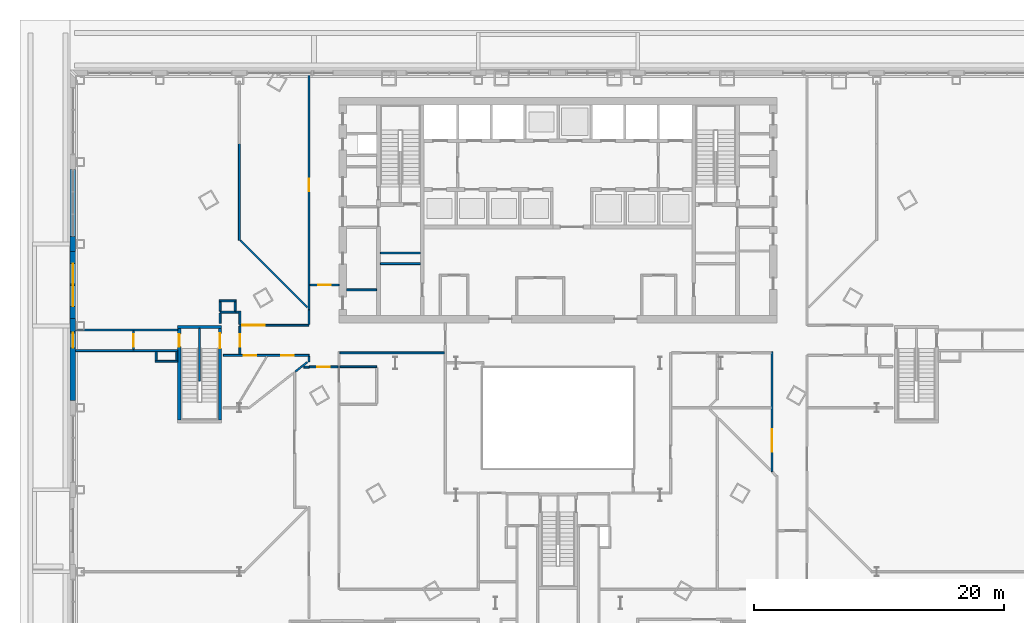
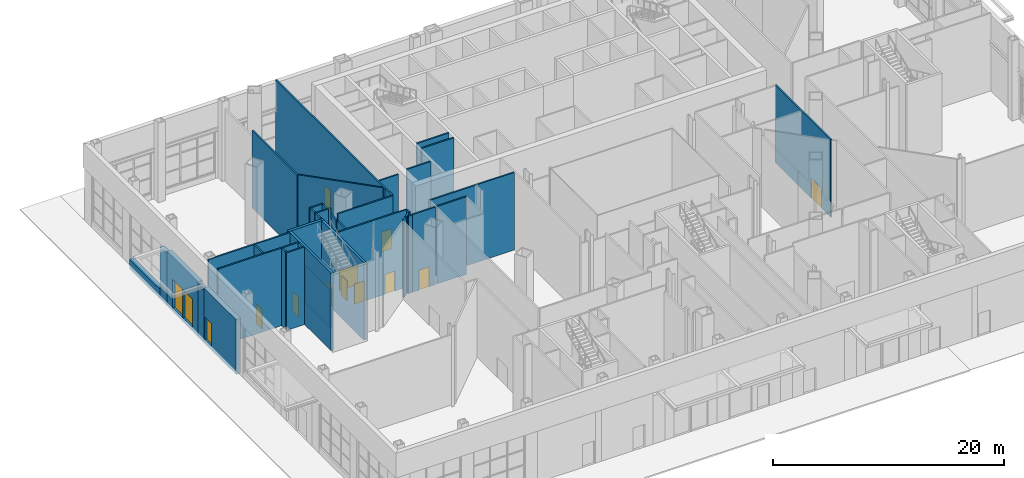
# One storey, part 19 of 34: 41 walls, 14 doors, 14 openings.
"""IFC4 building model written with IfcOpenShell, lengths in metres."""

import ifcopenshell
import ifcopenshell.guid

model = None  # the IFC model being written
_history = None  # IfcOwnerHistory: only IFC2X3 demands one
_inside = {}  # id of a spatial element -> (the spatial element, [elements in it])
_under = {}  # id of a project, library or spatial element -> (it, [spatial elements below it])
_declared = {}  # id of a project -> (the project, [libraries it declares])
_typed = {}  # id of a type object -> (the type object, [elements of that type])
_made_of = {}  # id of a material, layer set ... -> (it, [elements and type objects made of it])


def new_model(schema):
    """Start an empty IFC model of exactly this schema.

    Asked for "IFC4X3", IfcOpenShell would pick the latest addendum, in which some entities
    have other attributes; the version numbers below select the first issue.
    IFC2X3 requires an IfcOwnerHistory on every rooted entity: one is made here for all.
    """
    global model, _history
    if schema == "IFC4X3":
        model = ifcopenshell.file(schema_version=(4, 3, 0, 0))
    else:
        model = ifcopenshell.file(schema=schema)
    _inside.clear()
    _under.clear()
    _declared.clear()
    _typed.clear()
    _made_of.clear()
    _history = None
    if model.schema == "IFC2X3":
        org = make("IfcOrganization", Name="unknown")
        user = make(
            "IfcPersonAndOrganization",
            ThePerson=make("IfcPerson", FamilyName="unknown"),
            TheOrganization=org,
        )
        app = make(
            "IfcApplication",
            ApplicationDeveloper=org,
            Version="unknown",
            ApplicationFullName="unknown",
            ApplicationIdentifier="unknown",
        )
        _history = make(
            "IfcOwnerHistory",
            OwningUser=user,
            OwningApplication=app,
            ChangeAction="ADDED",
            CreationDate=0,
        )
    return model


def make(cls, **values):
    """One entity of the class cls with the attributes given. An attribute that is None is left unset."""
    return model.create_entity(
        cls, **{name: value for name, value in values.items() if value is not None}
    )


def rooted(cls, **values):
    """An entity with a GlobalId (a new one), such as an element, a storey or a relation."""
    return make(cls, GlobalId=ifcopenshell.guid.new(), OwnerHistory=_history, **values)


def si_unit(unit_type, name, prefix=None):
    """IfcSIUnit, for example si_unit("LENGTHUNIT", "METRE", prefix="MILLI")."""
    return make("IfcSIUnit", UnitType=unit_type, Prefix=prefix, Name=name)


def assignment(units):
    """IfcUnitAssignment: the units of a project."""
    return None if units is None else make("IfcUnitAssignment", Units=units)


def point(xyz):
    """IfcCartesianPoint."""
    return None if xyz is None else make("IfcCartesianPoint", Coordinates=xyz)


def direction(xyz):
    """IfcDirection."""
    return None if xyz is None else make("IfcDirection", DirectionRatios=xyz)


def frame(location, z_axis=None, x_axis=None):
    """IfcAxis2Placement3D, a coordinate frame: its origin and axes. An axis left out is left unset."""
    return make(
        "IfcAxis2Placement3D",
        Location=point(location),
        Axis=direction(z_axis),
        RefDirection=direction(x_axis),
    )


def frame_2d(location, x_axis=None):
    """IfcAxis2Placement2D, a coordinate frame in the plane: its origin and x axis."""
    return make(
        "IfcAxis2Placement2D", Location=point(location), RefDirection=direction(x_axis)
    )


def origin():
    """The frame at (0, 0, 0) with its axes left unset."""
    return frame((0.0, 0.0, 0.0))


def place(relative_to, where):
    """IfcLocalPlacement: puts the frame where relative to a parent placement (None: the world)."""
    return make(
        "IfcLocalPlacement", PlacementRelTo=relative_to, RelativePlacement=where
    )


def context(
    kind, dimensions, precision=None, world=None, true_north=None, identifier=None
):
    """IfcGeometricRepresentationContext, for example the 3D "Model" context."""
    return make(
        "IfcGeometricRepresentationContext",
        ContextIdentifier=identifier,
        ContextType=kind,
        CoordinateSpaceDimension=dimensions,
        Precision=precision,
        WorldCoordinateSystem=world,
        TrueNorth=true_north,
    )


def subcontext(parent, identifier, kind, view, scale=None):
    """IfcGeometricRepresentationSubContext, for example "Body" below "Model"."""
    return make(
        "IfcGeometricRepresentationSubContext",
        ContextIdentifier=identifier,
        ContextType=kind,
        ParentContext=parent,
        TargetScale=scale,
        TargetView=view,
    )


def project(units=None, contexts=None):
    """IfcProject with its units and contexts."""
    return rooted(
        "IfcProject",
        Name="project",
        RepresentationContexts=contexts,
        UnitsInContext=assignment(units),
    )


def spatial(cls, under=None, at=None, **own):
    """A site, building, storey or space (cls), placed at a placement, below another one or the project."""
    s = rooted(cls, ObjectPlacement=at, **own)
    if under is not None:
        _under.setdefault(under.id(), (under, []))[1].append(s)
    return s


def polyline(points):
    """IfcPolyline through the points."""
    return make("IfcPolyline", Points=[point(p) for p in points])


def profile(cls, at=None, kind="AREA", **sizes):
    """A parametric profile (cls). Its sizes go by their IFC names, for example OverallWidth=200.0."""
    return make(cls, ProfileType=kind, Position=at, **sizes)


def rectangle(**sizes):
    """IfcRectangleProfileDef."""
    return profile("IfcRectangleProfileDef", **sizes)


def outline(outer, holes=None, kind="AREA"):
    """IfcArbitraryClosedProfileDef: a profile drawn as a closed curve; with holes, ...WithVoids."""
    if holes is None:
        return make("IfcArbitraryClosedProfileDef", ProfileType=kind, OuterCurve=outer)
    return make(
        "IfcArbitraryProfileDefWithVoids",
        ProfileType=kind,
        OuterCurve=outer,
        InnerCurves=holes,
    )


def extrude(swept, where, along, depth):
    """IfcExtrudedAreaSolid: the profile swept, set in the frame where, extruded along a direction by depth."""
    return make(
        "IfcExtrudedAreaSolid",
        SweptArea=swept,
        Position=where,
        ExtrudedDirection=direction(along),
        Depth=depth,
    )


def shape(context_of_items, identifier, shape_type, items):
    """IfcShapeRepresentation: the items that make up one representation, for example the "Body"."""
    return make(
        "IfcShapeRepresentation",
        ContextOfItems=context_of_items,
        RepresentationIdentifier=identifier,
        RepresentationType=shape_type,
        Items=items,
    )


def material(Name=None, Category=None):
    """IfcMaterial."""
    return make("IfcMaterial", Name=Name, Category=Category)


def layer(
    of_material, thickness, ventilated=None, Name=None, Category=None, Priority=None
):
    """IfcMaterialLayer: one layer of a wall or slab, of a material (None: an air gap)."""
    return make(
        "IfcMaterialLayer",
        Material=of_material,
        LayerThickness=thickness,
        IsVentilated=ventilated,
        Name=Name,
        Category=Category,
        Priority=Priority,
    )


def layer_set(layers, Name=None):
    """IfcMaterialLayerSet."""
    return make("IfcMaterialLayerSet", MaterialLayers=layers, LayerSetName=Name)


def made_of(thing, what):
    """Note that an element or type object is made of a material, layer set ...; save() writes the relation."""
    if what is not None:
        _made_of.setdefault(what.id(), (what, []))[1].append(thing)
    return thing


def type_object(cls, material=None, **own):
    """A type object (cls), such as IfcWallType, which elements share."""
    return made_of(rooted(cls, **own), material)


def element(
    cls,
    number,
    at=None,
    inside=None,
    cuts=None,
    type_object=None,
    material=None,
    context=None,
    identifier="Body",
    shape_type=None,
    held_by="IfcProductDefinitionShape",
    body=None,
    shapes=None,
    **own,
):
    """One element of the class cls, such as IfcWall. Its Tag is "e" and its number.

    at: its placement. inside: the storey or other place that contains it. cuts: it is an
    opening in that element (IfcRelVoidsElement). A single representation is given by context,
    identifier, shape_type and body (its items); several are given by shapes. held_by: the class
    of the entity that holds the representations. save() writes the other relations.
    """
    e = rooted(cls, Tag="e%d" % number, ObjectPlacement=at, **own)
    if body is not None:
        shapes = [shape(context, identifier, shape_type, body)]
    if shapes is not None:
        e.Representation = make(held_by, Representations=shapes)
    if inside is not None:
        _inside.setdefault(inside.id(), (inside, []))[1].append(e)
    if cuts is not None:
        rooted(
            "IfcRelVoidsElement", RelatingBuildingElement=cuts, RelatedOpeningElement=e
        )
    if type_object is not None:
        _typed.setdefault(type_object.id(), (type_object, []))[1].append(e)
    return made_of(e, material)


def fill(opening, filler):
    """IfcRelFillsElement: the door or window that sits in an opening."""
    return rooted(
        "IfcRelFillsElement",
        RelatingOpeningElement=opening,
        RelatedBuildingElement=filler,
    )


def aggregate(whole, parts):
    """IfcRelAggregates: a whole, such as a stair, and the parts it consists of."""
    return rooted("IfcRelAggregates", RelatingObject=whole, RelatedObjects=parts)


def save(model, path):
    """Write the relations noted so far, then the file.

    IfcRelAggregates (storeys below a building ...), IfcRelContainedInSpatialStructure (elements
    in a storey), IfcRelDefinesByType, IfcRelAssociatesMaterial and IfcRelDeclares: one each for
    every whole, place, type object, material and project.
    """
    for whole, parts in _under.values():
        aggregate(whole, parts)
    for where, things in _inside.values():
        rooted(
            "IfcRelContainedInSpatialStructure",
            RelatedElements=things,
            RelatingStructure=where,
        )
    for kind, things in _typed.values():
        rooted("IfcRelDefinesByType", RelatedObjects=things, RelatingType=kind)
    for what, things in _made_of.values():
        rooted("IfcRelAssociatesMaterial", RelatedObjects=things, RelatingMaterial=what)
    for by, libraries in _declared.values():
        rooted("IfcRelDeclares", RelatingContext=by, RelatedDefinitions=libraries)
    model.write(path)


model = new_model("IFC4")

# Units and contexts
model_context = context("Model", 3, precision=1e-05, world=origin(), true_north=direction((0.0, 1.0)))
body_context = subcontext(model_context, "Body", "Model", "MODEL_VIEW")
ifc_project = project(units=[si_unit("LENGTHUNIT", "METRE"), si_unit("AREAUNIT", "SQUARE_METRE"), si_unit("VOLUMEUNIT", "CUBIC_METRE"), si_unit("PLANEANGLEUNIT", "RADIAN"), si_unit("MASSUNIT", "GRAM", prefix="KILO")], contexts=[model_context])

# Site, building, storey
site_placement = place(None, origin())
site = spatial("IfcSite", under=ifc_project, at=site_placement, CompositionType="ELEMENT")
building_placement = place(site_placement, origin())
building = spatial("IfcBuilding", under=site, at=building_placement, Name="Njiva Tower", CompositionType="ELEMENT")
storey_placement = place(building_placement, origin())
storey = spatial("IfcBuildingStorey", under=building, at=storey_placement, Name="L00", CompositionType="ELEMENT", Elevation=0.0)

# Walls
ifc_material_1 = material(Name="Blockwork", Category="masonry")
ifc_layer_1 = layer(ifc_material_1, 0.15)
ifc_layer_set_1 = layer_set([ifc_layer_1], Name="Blockwork")
wall_type_1 = type_object("IfcWallType", Name="WT1 Compartment partition 150", PredefinedType="PARTITIONING", material=ifc_layer_set_1)
wall_1_placement = place(storey_placement, frame((-14.2, 4.725, 0.0), z_axis=(0.0, 0.0, 1.0), x_axis=(1.0, 0.0, 0.0)))
element("IfcWall", 1, at=wall_1_placement, inside=storey, type_object=wall_type_1, Name="Room wall A", PredefinedType="PARTITIONING", context=body_context, shape_type="SweptSolid", body=[
    extrude(rectangle(XDim=3.2, YDim=0.15, at=frame_2d((1.6, 0.0))), origin(), (0.0, 0.0, 1.0), 8.18),
])
wall_2_placement = place(storey_placement, frame((-16.9, 2.6337, 0.0), z_axis=(0.0, 0.0, 1.0), x_axis=(1.0, 0.0, 0.0)))
element("IfcWall", 2, at=wall_2_placement, inside=storey, type_object=wall_type_1, Name="Partition strip W00", PredefinedType="PARTITIONING", context=body_context, shape_type="SweptSolid", body=[
    extrude(rectangle(XDim=2.4, YDim=0.15, at=frame_2d((1.2, 0.0))), origin(), (0.0, 0.0, 1.0), 8.18),
])

# Wall, opening, door
ifc_layer_2 = layer(ifc_material_1, 0.15)
ifc_layer_set_2 = layer_set([ifc_layer_2], Name="Blockwork")
wall_type_2 = type_object("IfcWallType", Name="WT2 Lobby partition 150", PredefinedType="PARTITIONING", material=ifc_layer_set_2)
wall_3_placement = place(storey_placement, frame((-33.925, -2.15, 0.0), z_axis=(0.0, 0.0, 1.0), x_axis=(0.0, 1.0, 0.0)))
wall_3 = element("IfcWall", 3, at=wall_3_placement, inside=storey, type_object=wall_type_2, Name="Stair F upper vestibule wall", PredefinedType="PARTITIONING", context=body_context, shape_type="SweptSolid", body=[
    extrude(rectangle(XDim=1.5, YDim=0.15, at=frame_2d((0.75, 0.0))), origin(), (0.0, 0.0, 1.0), 8.18),
])
opening_1_placement = place(wall_3_placement, frame((0.25, 0.0, 0.0)))
opening_1 = element("IfcOpeningElement", 4, at=opening_1_placement, cuts=wall_3, Name="Opening L00-D958", PredefinedType="OPENING", context=body_context, shape_type="SweptSolid", body=[
    extrude(rectangle(XDim=1.0, YDim=2.1, at=frame_2d((0.5, 1.05))), frame((0.0, 0.085, 0.0), z_axis=(0.0, -1.0, 0.0), x_axis=(1.0, 0.0, 0.0)), (0.0, 0.0, 1.0), 0.17),
])
ifc_material_2 = material(Name="Glazed steel fire door", Category="steel")
door_type_1 = type_object("IfcDoorType", Name="D11 Stair passage door 1000x2100 glazed", OperationType="SINGLE_SWING_LEFT", PredefinedType="DOOR", material=ifc_material_2)
door_1_placement = place(opening_1_placement, origin())
door_1 = element("IfcDoor", 5, at=door_1_placement, inside=storey, type_object=door_type_1, Name="Stair F passage door", OperationType="SINGLE_SWING_RIGHT", OverallHeight=2.1, OverallWidth=1.0, PredefinedType="DOOR", context=body_context, shape_type="SweptSolid", body=[
    extrude(rectangle(XDim=1.0, YDim=2.1, at=frame_2d((0.5, 1.05))), frame((0.0, 0.025, 0.0), z_axis=(0.0, -1.0, 0.0), x_axis=(1.0, 0.0, 0.0)), (0.0, 0.0, 1.0), 0.05),
])
fill(opening_1, door_1)

# Wall
ifc_material_3 = material(Name="Gypsum board on steel studs", Category="gypsum")
ifc_layer_3 = layer(ifc_material_3, 0.15)
ifc_layer_set_3 = layer_set([ifc_layer_3], Name="Gypsum board on steel studs")
wall_type_3 = type_object("IfcWallType", Name="WT21 Compartment wall 150", PredefinedType="PARTITIONING", material=ifc_layer_set_3)
wall_4_placement = place(storey_placement, frame((-27.005, -0.05, 0.0), z_axis=(0.0, 0.0, 1.0), x_axis=(0.0, 1.0, 0.0)))
element("IfcWall", 6, at=wall_4_placement, inside=storey, type_object=wall_type_3, Name="Partition L00-P003", PredefinedType="PARTITIONING", context=body_context, shape_type="SweptSolid", body=[
    extrude(rectangle(XDim=0.825, YDim=0.15, at=frame_2d((0.4125, 0.0))), origin(), (0.0, 0.0, 1.0), 8.18),
])

# Wall, openings, doors
wall_5_placement = place(storey_placement, frame((-26.75, -2.6, 0.0), z_axis=(0.0, 0.0, 1.0), x_axis=(1.0, 0.0, 0.0)))
wall_5 = element("IfcWall", 7, at=wall_5_placement, inside=storey, type_object=wall_type_3, Name="Partition L00-P007", PredefinedType="PARTITIONING", context=body_context, shape_type="SweptSolid", body=[
    extrude(rectangle(XDim=6.85, YDim=0.15, at=frame_2d((3.425, 0.0))), origin(), (0.0, 0.0, 1.0), 8.18),
])
opening_2_placement = place(wall_5_placement, frame((1.616, 0.0, 0.0)))
opening_2 = element("IfcOpeningElement", 8, at=opening_2_placement, cuts=wall_5, Name="Opening L00-D001", PredefinedType="OPENING", context=body_context, shape_type="SweptSolid", body=[
    extrude(rectangle(XDim=1.0, YDim=2.1, at=frame_2d((0.5, 1.05))), frame((0.0, 0.085, 0.0), z_axis=(0.0, -1.0, 0.0), x_axis=(1.0, 0.0, 0.0)), (0.0, 0.0, 1.0), 0.17),
])
opening_3_placement = place(wall_5_placement, frame((4.645, 0.0, 0.0)))
opening_3 = element("IfcOpeningElement", 9, at=opening_3_placement, cuts=wall_5, Name="Opening L00-D002", PredefinedType="OPENING", context=body_context, shape_type="SweptSolid", body=[
    extrude(rectangle(XDim=1.0, YDim=2.1, at=frame_2d((0.5, 1.05))), frame((0.0, 0.085, 0.0), z_axis=(0.0, -1.0, 0.0), x_axis=(1.0, 0.0, 0.0)), (0.0, 0.0, 1.0), 0.17),
])
ifc_material_4 = material(Name="Steel fire door set", Category="steel")
door_type_2 = type_object("IfcDoorType", Name="D37 Fire door 1000x2100", OperationType="SINGLE_SWING_LEFT", PredefinedType="DOOR", material=ifc_material_4)
door_2_placement = place(opening_2_placement, origin())
door_2 = element("IfcDoor", 10, at=door_2_placement, inside=storey, type_object=door_type_2, Name="Door L00-D001", OperationType="SINGLE_SWING_LEFT", OverallHeight=2.1, OverallWidth=1.0, PredefinedType="DOOR", context=body_context, shape_type="SweptSolid", body=[
    extrude(rectangle(XDim=1.0, YDim=2.1, at=frame_2d((0.5, 1.05))), frame((0.0, 0.025, 0.0), z_axis=(0.0, -1.0, 0.0), x_axis=(1.0, 0.0, 0.0)), (0.0, 0.0, 1.0), 0.05),
])
fill(opening_2, door_2)
door_3_placement = place(opening_3_placement, origin())
door_3 = element("IfcDoor", 11, at=door_3_placement, inside=storey, type_object=door_type_2, Name="Door L00-D002", OperationType="SINGLE_SWING_RIGHT", OverallHeight=2.1, OverallWidth=1.0, PredefinedType="DOOR", context=body_context, shape_type="SweptSolid", body=[
    extrude(rectangle(XDim=1.0, YDim=2.1, at=frame_2d((0.5, 1.05))), frame((0.0, 0.025, 0.0), z_axis=(0.0, -1.0, 0.0), x_axis=(1.0, 0.0, 0.0)), (0.0, 0.0, 1.0), 0.05),
])
fill(opening_3, door_3)

# Walls
wall_6_placement = place(storey_placement, frame((-25.73, 0.85, 0.0), z_axis=(0.0, 0.0, 1.0), x_axis=(1.0, 0.0, 0.0)))
element("IfcWall", 12, at=wall_6_placement, inside=storey, type_object=wall_type_3, Name="Partition L00-P009", PredefinedType="PARTITIONING", context=body_context, shape_type="SweptSolid", body=[
    extrude(rectangle(XDim=0.23, YDim=0.15, at=frame_2d((0.115, 0.0))), origin(), (0.0, 0.0, 1.0), 8.18),
])
wall_7_placement = place(storey_placement, frame((-25.467, 6.592, 0.0), z_axis=(0.0, 0.0, 1.0), x_axis=(0.0, 1.0, 0.0)))
element("IfcWall", 13, at=wall_7_placement, inside=storey, type_object=wall_type_3, Name="Partition L00-P011", PredefinedType="PARTITIONING", context=body_context, shape_type="SweptSolid", body=[
    extrude(rectangle(XDim=7.736, YDim=0.15, at=frame_2d((3.868, 0.0))), origin(), (0.0, 0.0, 1.0), 8.18),
])

# Wall, opening, door
wall_8_placement = place(storey_placement, frame((-25.425, -2.525, 0.0), z_axis=(0.0, 0.0, 1.0), x_axis=(0.0, 1.0, 0.0)))
wall_8 = element("IfcWall", 14, at=wall_8_placement, inside=storey, type_object=wall_type_3, Name="Partition L00-P012", PredefinedType="PARTITIONING", context=body_context, shape_type="SweptSolid", body=[
    extrude(rectangle(XDim=2.25, YDim=0.15, at=frame_2d((1.125, 0.0))), origin(), (0.0, 0.0, 1.0), 7.49),
])
opening_4_placement = place(wall_8_placement, frame((0.625, 0.0, 0.0)))
opening_4 = element("IfcOpeningElement", 15, at=opening_4_placement, cuts=wall_8, Name="Opening L00-D003", PredefinedType="OPENING", context=body_context, shape_type="SweptSolid", body=[
    extrude(rectangle(XDim=1.0, YDim=2.1, at=frame_2d((0.5, 1.05))), frame((0.0, 0.085, 0.0), z_axis=(0.0, -1.0, 0.0), x_axis=(1.0, 0.0, 0.0)), (0.0, 0.0, 1.0), 0.17),
])
door_type_3 = type_object("IfcDoorType", Name="D41 Glazed fire door 1000x2100", OperationType="SINGLE_SWING_LEFT", PredefinedType="DOOR", material=ifc_material_2)
door_4_placement = place(opening_4_placement, origin())
door_4 = element("IfcDoor", 16, at=door_4_placement, inside=storey, type_object=door_type_3, Name="Door L00-D003", OperationType="SINGLE_SWING_RIGHT", OverallHeight=2.1, OverallWidth=1.0, PredefinedType="DOOR", context=body_context, shape_type="SweptSolid", body=[
    extrude(rectangle(XDim=1.0, YDim=2.1, at=frame_2d((0.5, 1.05))), frame((0.0, 0.025, 0.0), z_axis=(0.0, -1.0, 0.0), x_axis=(1.0, 0.0, 0.0)), (0.0, 0.0, 1.0), 0.05),
])
fill(opening_4, door_4)

wall_9_placement = place(storey_placement, frame((-25.425, -0.2, 0.0), z_axis=(0.0, 0.0, 1.0), x_axis=(1.0, 0.0, 0.0)))
wall_9 = element("IfcWall", 17, at=wall_9_placement, inside=storey, type_object=wall_type_3, Name="Partition L00-P013", PredefinedType="PARTITIONING", context=body_context, shape_type="SweptSolid", body=[
    extrude(rectangle(XDim=5.522, YDim=0.15, at=frame_2d((2.761, 0.0))), origin(), (0.0, 0.0, 1.0), 8.18),
])
opening_5_placement = place(wall_9_placement, frame((0.2, 0.0, 0.0)))
opening_5 = element("IfcOpeningElement", 18, at=opening_5_placement, cuts=wall_9, Name="Opening L00-D004", PredefinedType="OPENING", context=body_context, shape_type="SweptSolid", body=[
    extrude(rectangle(XDim=1.8, YDim=2.1, at=frame_2d((0.9, 1.05))), frame((0.0, 0.085, 0.0), z_axis=(0.0, -1.0, 0.0), x_axis=(1.0, 0.0, 0.0)), (0.0, 0.0, 1.0), 0.17),
])
door_type_4 = type_object("IfcDoorType", Name="D38 Fire door 1800x2100", OperationType="DOUBLE_DOOR_SINGLE_SWING", PredefinedType="DOOR", material=ifc_material_4)
door_5_placement = place(opening_5_placement, origin())
door_5 = element("IfcDoor", 19, at=door_5_placement, inside=storey, type_object=door_type_4, Name="Door L00-D004", OperationType="DOUBLE_DOOR_SINGLE_SWING", OverallHeight=2.1, OverallWidth=1.8, PredefinedType="DOOR", context=body_context, shape_type="SweptSolid", body=[
    extrude(rectangle(XDim=1.8, YDim=2.1, at=frame_2d((0.9, 1.05))), frame((0.0, 0.025, 0.0), z_axis=(0.0, -1.0, 0.0), x_axis=(1.0, 0.0, 0.0)), (0.0, 0.0, 1.0), 0.05),
])
fill(opening_5, door_5)

# Walls
wall_10_placement = place(storey_placement, frame((-25.425, -0.125, 0.0), z_axis=(0.0, 0.0, 1.0), x_axis=(0.0, 1.0, 0.0)))
element("IfcWall", 20, at=wall_10_placement, inside=storey, type_object=wall_type_3, Name="Partition L00-P014", PredefinedType="PARTITIONING", context=body_context, shape_type="SweptSolid", body=[
    extrude(rectangle(XDim=1.05, YDim=0.15, at=frame_2d((0.525, 0.0))), origin(), (0.0, 0.0, 1.0), 7.49),
])
wall_11_placement = place(storey_placement, frame((-25.392, 6.592, 0.0), z_axis=(0.0, 0.0, 1.0), x_axis=(0.707106781187, -0.707106781187, 0.0)))
element("IfcWall", 21, at=wall_11_placement, inside=storey, type_object=wall_type_3, Name="Partition L00-P015", PredefinedType="PARTITIONING", context=body_context, shape_type="SweptSolid", body=[
    extrude(rectangle(XDim=7.5858, YDim=0.15, at=frame_2d((3.7929, 0.0))), origin(), (0.0, 0.0, 1.0), 8.18),
])
wall_12_placement = place(storey_placement, frame((-21.004, -3.906, 0.0), z_axis=(0.0, 0.0, 1.0), x_axis=(0.786713818429, 0.61731788237, 0.0)))
element("IfcWall", 22, at=wall_12_placement, inside=storey, type_object=wall_type_3, Name="Partition L00-P019", PredefinedType="PARTITIONING", context=body_context, shape_type="SweptSolid", body=[
    extrude(rectangle(XDim=0.6139, YDim=0.15, at=frame_2d((0.307, 0.0))), origin(), (0.0, 0.0, 1.0), 8.18),
])
wall_13_placement = place(storey_placement, frame((-20.521, -3.527, 0.0), z_axis=(0.0, 0.0, 1.0), x_axis=(0.786595086438, 0.617469165216, 0.0)))
element("IfcWall", 23, at=wall_13_placement, inside=storey, type_object=wall_type_3, Name="Partition L00-P021", PredefinedType="PARTITIONING", context=body_context, shape_type="SweptSolid", body=[
    extrude(rectangle(XDim=0.6268, YDim=0.15, at=frame_2d((0.3134, 0.0))), origin(), (0.0, 0.0, 1.0), 8.18),
])
wall_14_placement = place(storey_placement, frame((-20.32, -3.539, 0.0), z_axis=(0.0, 0.0, 1.0), x_axis=(1.0, 0.0, 0.0)))
element("IfcWall", 24, at=wall_14_placement, inside=storey, type_object=wall_type_3, Name="Partition L00-P022", PredefinedType="PARTITIONING", context=body_context, shape_type="SweptSolid", body=[
    extrude(rectangle(XDim=0.42, YDim=0.15, at=frame_2d((0.21, 0.0))), origin(), (0.0, 0.0, 1.0), 8.18),
])

# Wall, opening, door
wall_15_placement = place(storey_placement, frame((-19.9, -3.525, 0.0), z_axis=(0.0, 0.0, 1.0), x_axis=(1.0, 0.0, 0.0)))
wall_15 = element("IfcWall", 25, at=wall_15_placement, inside=storey, type_object=wall_type_3, Name="Partition L00-P024", PredefinedType="PARTITIONING", context=body_context, shape_type="SweptSolid", body=[
    extrude(rectangle(XDim=2.325, YDim=0.15, at=frame_2d((1.1625, 0.0))), origin(), (0.0, 0.0, 1.0), 8.18),
])
opening_6_placement = place(wall_15_placement, frame((0.662, 0.0, 0.0)))
opening_6 = element("IfcOpeningElement", 26, at=opening_6_placement, cuts=wall_15, Name="Opening L00-D007", PredefinedType="OPENING", context=body_context, shape_type="SweptSolid", body=[
    extrude(rectangle(XDim=1.0, YDim=2.1, at=frame_2d((0.5, 1.05))), frame((0.0, 0.085, 0.0), z_axis=(0.0, -1.0, 0.0), x_axis=(1.0, 0.0, 0.0)), (0.0, 0.0, 1.0), 0.17),
])
door_6_placement = place(opening_6_placement, origin())
door_6 = element("IfcDoor", 27, at=door_6_placement, inside=storey, type_object=door_type_2, Name="Door L00-D007", OperationType="SINGLE_SWING_RIGHT", OverallHeight=2.1, OverallWidth=1.0, PredefinedType="DOOR", context=body_context, shape_type="SweptSolid", body=[
    extrude(rectangle(XDim=1.0, YDim=2.1, at=frame_2d((0.5, 1.05))), frame((0.0, 0.025, 0.0), z_axis=(0.0, -1.0, 0.0), x_axis=(1.0, 0.0, 0.0)), (0.0, 0.0, 1.0), 0.05),
])
fill(opening_6, door_6)

# Walls
wall_16_placement = place(storey_placement, frame((-19.9, -3.114, 0.0), z_axis=(0.0, 0.0, 1.0), x_axis=(0.0, 1.0, 0.0)))
element("IfcWall", 28, at=wall_16_placement, inside=storey, type_object=wall_type_3, Name="Partition L00-P025", PredefinedType="PARTITIONING", context=body_context, shape_type="SweptSolid", body=[
    extrude(rectangle(XDim=0.439, YDim=0.15, at=frame_2d((0.2195, 0.0))), origin(), (0.0, 0.0, 1.0), 8.18),
])
wall_17_placement = place(storey_placement, frame((-19.9, -0.125, 0.0), z_axis=(0.0, 0.0, 1.0), x_axis=(0.0, 1.0, 0.0)))
element("IfcWall", 29, at=wall_17_placement, inside=storey, type_object=wall_type_3, Name="Partition L00-P026", PredefinedType="PARTITIONING", context=body_context, shape_type="SweptSolid", body=[
    extrude(rectangle(XDim=1.15, YDim=0.15, at=frame_2d((0.575, 0.0))), origin(), (0.0, 0.0, 1.0), 8.18),
])

# Wall, opening, door
wall_18_placement = place(storey_placement, frame((-19.9, 1.025, 0.0), z_axis=(0.0, 0.0, 1.0), x_axis=(0.0, 1.0, 0.0)))
wall_18 = element("IfcWall", 30, at=wall_18_placement, inside=storey, type_object=wall_type_3, Name="Partition L00-P027", PredefinedType="PARTITIONING", context=body_context, shape_type="SweptSolid", body=[
    extrude(rectangle(XDim=18.935, YDim=0.15, at=frame_2d((9.4675, 0.0))), origin(), (0.0, 0.0, 1.0), 8.18),
])
opening_7_placement = place(wall_18_placement, frame((9.506, 0.0, 0.0)))
opening_7 = element("IfcOpeningElement", 31, at=opening_7_placement, cuts=wall_18, Name="Opening L00-D008", PredefinedType="OPENING", context=body_context, shape_type="SweptSolid", body=[
    extrude(rectangle(XDim=1.0, YDim=2.1, at=frame_2d((0.5, 1.05))), frame((0.0, 0.085, 0.0), z_axis=(0.0, -1.0, 0.0), x_axis=(1.0, 0.0, 0.0)), (0.0, 0.0, 1.0), 0.17),
])
door_7_placement = place(opening_7_placement, origin())
door_7 = element("IfcDoor", 32, at=door_7_placement, inside=storey, type_object=door_type_2, Name="Door L00-D008", OperationType="SINGLE_SWING_LEFT", OverallHeight=2.1, OverallWidth=1.0, PredefinedType="DOOR", context=body_context, shape_type="SweptSolid", body=[
    extrude(rectangle(XDim=1.0, YDim=2.1, at=frame_2d((0.5, 1.05))), frame((0.0, 0.025, 0.0), z_axis=(0.0, -1.0, 0.0), x_axis=(1.0, 0.0, 0.0)), (0.0, 0.0, 1.0), 0.05),
])
fill(opening_7, door_7)

wall_19_placement = place(storey_placement, frame((-19.825, 3.025, 0.0), z_axis=(0.0, 0.0, 1.0), x_axis=(1.0, 0.0, 0.0)))
wall_19 = element("IfcWall", 33, at=wall_19_placement, inside=storey, type_object=wall_type_3, Name="Partition L00-P028", PredefinedType="PARTITIONING", context=body_context, shape_type="SweptSolid", body=[
    extrude(rectangle(XDim=2.325, YDim=0.15, at=frame_2d((1.1625, 0.0))), origin(), (0.0, 0.0, 1.0), 7.63),
])
opening_8_placement = place(wall_19_placement, frame((0.662, 0.0, 0.0)))
opening_8 = element("IfcOpeningElement", 34, at=opening_8_placement, cuts=wall_19, Name="Opening L00-D009", PredefinedType="OPENING", context=body_context, shape_type="SweptSolid", body=[
    extrude(rectangle(XDim=1.0, YDim=2.1, at=frame_2d((0.5, 1.05))), frame((0.0, 0.085, 0.0), z_axis=(0.0, -1.0, 0.0), x_axis=(1.0, 0.0, 0.0)), (0.0, 0.0, 1.0), 0.17),
])
door_8_placement = place(opening_8_placement, origin())
door_8 = element("IfcDoor", 35, at=door_8_placement, inside=storey, type_object=door_type_2, Name="Door L00-D009", OperationType="SINGLE_SWING_RIGHT", OverallHeight=2.1, OverallWidth=1.0, PredefinedType="DOOR", context=body_context, shape_type="SweptSolid", body=[
    extrude(rectangle(XDim=1.0, YDim=2.1, at=frame_2d((0.5, 1.05))), frame((0.0, 0.025, 0.0), z_axis=(0.0, -1.0, 0.0), x_axis=(1.0, 0.0, 0.0)), (0.0, 0.0, 1.0), 0.05),
])
fill(opening_8, door_8)

# Walls
wall_20_placement = place(storey_placement, frame((-17.425, -3.513, 0.0), z_axis=(0.0, 0.0, 1.0), x_axis=(1.0, 0.0, 0.0)))
element("IfcWall", 36, at=wall_20_placement, inside=storey, type_object=wall_type_3, Name="Partition L00-P031", PredefinedType="PARTITIONING", context=body_context, shape_type="SweptSolid", body=[
    extrude(rectangle(XDim=2.925, YDim=0.15, at=frame_2d((1.4625, 0.0))), origin(), (0.0, 0.0, 1.0), 8.18),
])
wall_21_placement = place(storey_placement, frame((-17.425, -2.4, 0.0), z_axis=(0.0, 0.0, 1.0), x_axis=(1.0, 0.0, 0.0)))
element("IfcWall", 37, at=wall_21_placement, inside=storey, type_object=wall_type_3, Name="Partition L00-P032", PredefinedType="PARTITIONING", context=body_context, shape_type="SweptSolid", body=[
    extrude(rectangle(XDim=8.35, YDim=0.15, at=frame_2d((4.175, 0.0))), origin(), (0.0, 0.0, 1.0), 8.18),
])

# Wall, opening, door
wall_22_placement = place(storey_placement, frame((17.1, -11.9, 0.0), z_axis=(0.0, 0.0, 1.0), x_axis=(0.0, 1.0, 0.0)))
wall_22 = element("IfcWall", 38, at=wall_22_placement, inside=storey, type_object=wall_type_3, Name="Partition L00-P062", PredefinedType="PARTITIONING", context=body_context, shape_type="SweptSolid", body=[
    extrude(rectangle(XDim=9.575, YDim=0.15, at=frame_2d((4.7875, 0.0))), origin(), (0.0, 0.0, 1.0), 8.18),
])
opening_9_placement = place(wall_22_placement, frame((1.6, 0.0, 0.0)))
opening_9 = element("IfcOpeningElement", 39, at=opening_9_placement, cuts=wall_22, Name="Opening L00-D023", PredefinedType="OPENING", context=body_context, shape_type="SweptSolid", body=[
    extrude(rectangle(XDim=1.8, YDim=2.1, at=frame_2d((0.9, 1.05))), frame((0.0, 0.085, 0.0), z_axis=(0.0, -1.0, 0.0), x_axis=(1.0, 0.0, 0.0)), (0.0, 0.0, 1.0), 0.17),
])
door_9_placement = place(opening_9_placement, origin())
door_9 = element("IfcDoor", 40, at=door_9_placement, inside=storey, type_object=door_type_4, Name="Door L00-D023", OperationType="DOUBLE_DOOR_SINGLE_SWING", OverallHeight=2.1, OverallWidth=1.8, PredefinedType="DOOR", context=body_context, shape_type="SweptSolid", body=[
    extrude(rectangle(XDim=1.8, YDim=2.1, at=frame_2d((0.9, 1.05))), frame((0.0, 0.025, 0.0), z_axis=(0.0, -1.0, 0.0), x_axis=(1.0, 0.0, 0.0)), (0.0, 0.0, 1.0), 0.05),
])
fill(opening_9, door_9)

# Walls
ifc_layer_4 = layer(ifc_material_3, 0.15)
ifc_layer_set_4 = layer_set([ifc_layer_4], Name="Gypsum board on steel studs")
wall_type_4 = type_object("IfcWallType", Name="WT24 Riser room wall 150", PredefinedType="PARTITIONING", material=ifc_layer_set_4)
wall_23_placement = place(storey_placement, frame((-27.08, 1.75, 0.0), z_axis=(0.0, 0.0, 1.0), x_axis=(1.0, 0.0, 0.0)))
element("IfcWall", 41, at=wall_23_placement, inside=storey, type_object=wall_type_4, Name="Partition L00-P002", PredefinedType="PARTITIONING", context=body_context, shape_type="SweptSolid", body=[
    extrude(rectangle(XDim=1.35, YDim=0.15, at=frame_2d((0.675, 0.0))), origin(), (0.0, 0.0, 1.0), 8.18),
])
wall_24_placement = place(storey_placement, frame((-27.005, 0.85, 0.0), z_axis=(0.0, 0.0, 1.0), x_axis=(1.0, 0.0, 0.0)))
element("IfcWall", 42, at=wall_24_placement, inside=storey, type_object=wall_type_4, Name="Partition L00-P004", PredefinedType="PARTITIONING", context=body_context, shape_type="SweptSolid", body=[
    extrude(rectangle(XDim=1.275, YDim=0.15, at=frame_2d((0.6375, 0.0))), origin(), (0.0, 0.0, 1.0), 8.18),
])
for number, where, z_axis, x_axis, name in (
    (43, (-27.005, 0.925, 0.0), (0.0, 0.0, 1.0), (0.0, 1.0, 0.0), "Partition L00-P005"),
    (44, (-25.805, 0.925, 0.0), (0.0, 0.0, 1.0), (0.0, 1.0, 0.0), "Partition L00-P008"),
):
    element("IfcWall", number, at=place(storey_placement, frame(where, z_axis=z_axis, x_axis=x_axis)), inside=storey, type_object=wall_type_4, Name=name, PredefinedType="PARTITIONING", context=body_context, shape_type="SweptSolid", body=[
        extrude(rectangle(XDim=0.75, YDim=0.15, at=frame_2d((0.375, 0.0))), origin(), (0.0, 0.0, 1.0), 8.18),
    ])
ifc_layer_5 = layer(ifc_material_1, 0.15)
ifc_layer_set_5 = layer_set([ifc_layer_5], Name="Blockwork")
wall_type_5 = type_object("IfcWallType", Name="WT4 Stair partition 150", PredefinedType="PARTITIONING", material=ifc_layer_set_5)
wall_25_placement = place(storey_placement, frame((-14.2, 5.575, 0.0), z_axis=(0.0, 0.0, 1.0), x_axis=(1.0, 0.0, 0.0)))
element("IfcWall", 45, at=wall_25_placement, inside=storey, type_object=wall_type_5, Name="Stair A basement pressurisation shaft wall", PredefinedType="PARTITIONING", context=body_context, shape_type="SweptSolid", body=[
    extrude(rectangle(XDim=3.2, YDim=0.15, at=frame_2d((1.6, 0.0))), origin(), (0.0, 0.0, 1.0), 8.18),
])
wall_26_placement = place(storey_placement, frame((-28.65, -4.67, 0.0), z_axis=(0.0, 0.0, 1.0), x_axis=(0.0, 1.0, 0.0)))
element("IfcWall", 46, at=wall_26_placement, inside=storey, type_object=wall_type_5, Name="Stair F dividing wall", PredefinedType="PARTITIONING", context=body_context, shape_type="SweptSolid", body=[
    extrude(rectangle(XDim=4.22, YDim=0.15, at=frame_2d((2.11, 0.0))), origin(), (0.0, 0.0, 1.0), 4.0),
])
for number, where, z_axis, x_axis, name in (
    (47, (-38.55, -2.225, 0.0), (0.0, 0.0, 1.0), (1.0, 0.0, 0.0), "Stair F exit passage wall south"),
    (48, (-38.55, -0.575, 0.0), (0.0, 0.0, 1.0), (1.0, 0.0, 0.0), "Stair F exit passage wall north"),
):
    element("IfcWall", number, at=place(storey_placement, frame(where, z_axis=z_axis, x_axis=x_axis)), inside=storey, type_object=wall_type_5, Name=name, PredefinedType="PARTITIONING", context=body_context, shape_type="SweptSolid", body=[
        extrude(rectangle(XDim=8.15, YDim=0.15, at=frame_2d((4.075, 0.0))), origin(), (0.0, 0.0, 1.0), 8.18),
    ])
wall_27_placement = place(storey_placement, frame((-32.2, -3.075, 0.0), z_axis=(0.0, 0.0, 1.0), x_axis=(1.0, 0.0, 0.0)))
element("IfcWall", 49, at=wall_27_placement, inside=storey, type_object=wall_type_5, Name="Stair F upper pressurisation shaft wall", PredefinedType="PARTITIONING", context=body_context, shape_type="SweptSolid", body=[
    extrude(rectangle(XDim=1.8, YDim=0.15, at=frame_2d((0.9, 0.0))), origin(), (0.0, 0.0, 1.0), 8.18),
])
for number, where, z_axis, x_axis, name in (
    (50, (-32.125, -3.0, 0.0), (0.0, 0.0, 1.0), (0.0, 1.0, 0.0), "Stair F upper pressurisation shaft wall"),
    (51, (-30.475, -3.0, 0.0), (0.0, 0.0, 1.0), (0.0, 1.0, 0.0), "Stair F upper pressurisation shaft wall"),
):
    element("IfcWall", number, at=place(storey_placement, frame(where, z_axis=z_axis, x_axis=x_axis)), inside=storey, type_object=wall_type_5, Name=name, PredefinedType="PARTITIONING", context=body_context, shape_type="SweptSolid", body=[
        extrude(rectangle(XDim=0.7, YDim=0.15, at=frame_2d((0.35, 0.0))), origin(), (0.0, 0.0, 1.0), 8.18),
    ])

# Wall, opening, door
ifc_material_5 = material(Name="Concrete C40/50", Category="concrete")
ifc_layer_6 = layer(ifc_material_5, 0.25)
ifc_layer_set_6 = layer_set([ifc_layer_6], Name="Concrete C40/50")
wall_type_6 = type_object("IfcWallType", Name="WT9 Stair enclosure wall 250", PredefinedType="SHEAR", material=ifc_layer_set_6)
wall_28_placement = place(storey_placement, frame((-30.275, -7.75, 0.0), z_axis=(0.0, 0.0, 1.0), x_axis=(0.0, 1.0, 0.0)))
wall_28 = element("IfcWall", 52, at=wall_28_placement, inside=storey, type_object=wall_type_6, Name="Stair F wall west", PredefinedType="SHEAR", context=body_context, shape_type="SweptSolid", body=[
    extrude(rectangle(XDim=7.3, YDim=0.25, at=frame_2d((3.65, 0.0))), origin(), (0.0, 0.0, 1.0), 8.18),
])
opening_10_placement = place(wall_28_placement, frame((5.85, 0.0, 0.0)))
opening_10 = element("IfcOpeningElement", 53, at=opening_10_placement, cuts=wall_28, Name="Opening L00-D957", PredefinedType="OPENING", context=body_context, shape_type="SweptSolid", body=[
    extrude(rectangle(XDim=1.0, YDim=2.1, at=frame_2d((0.5, 1.05))), frame((0.0, 0.135, 0.0), z_axis=(0.0, -1.0, 0.0), x_axis=(1.0, 0.0, 0.0)), (0.0, 0.0, 1.0), 0.27),
])
door_type_5 = type_object("IfcDoorType", Name="D9 Stair vestibule door 1000x2100 glazed", OperationType="SINGLE_SWING_LEFT", PredefinedType="DOOR", material=ifc_material_2)
door_10_placement = place(opening_10_placement, origin())
door_10 = element("IfcDoor", 54, at=door_10_placement, inside=storey, type_object=door_type_5, Name="Stair F door", OperationType="SINGLE_SWING_LEFT", OverallHeight=2.1, OverallWidth=1.0, PredefinedType="DOOR", context=body_context, shape_type="SweptSolid", body=[
    extrude(rectangle(XDim=1.0, YDim=2.1, at=frame_2d((0.5, 1.05))), frame((0.0, 0.025, 0.0), z_axis=(0.0, -1.0, 0.0), x_axis=(1.0, 0.0, 0.0)), (0.0, 0.0, 1.0), 0.05),
])
fill(opening_10, door_10)

wall_29_placement = place(storey_placement, frame((-27.025, -7.75, 0.0), z_axis=(0.0, 0.0, 1.0), x_axis=(0.0, 1.0, 0.0)))
wall_29 = element("IfcWall", 55, at=wall_29_placement, inside=storey, type_object=wall_type_6, Name="Stair F wall east", PredefinedType="SHEAR", context=body_context, shape_type="SweptSolid", body=[
    extrude(rectangle(XDim=7.3, YDim=0.25, at=frame_2d((3.65, 0.0))), origin(), (0.0, 0.0, 1.0), 8.18),
])
opening_11_placement = place(wall_29_placement, frame((5.7, 0.0, 0.0)))
opening_11 = element("IfcOpeningElement", 56, at=opening_11_placement, cuts=wall_29, Name="Opening L00-D956", PredefinedType="OPENING", context=body_context, shape_type="SweptSolid", body=[
    extrude(rectangle(XDim=1.2, YDim=2.1, at=frame_2d((0.6, 1.05))), frame((0.0, 0.135, 0.0), z_axis=(0.0, -1.0, 0.0), x_axis=(1.0, 0.0, 0.0)), (0.0, 0.0, 1.0), 0.27),
])
ifc_material_6 = material(Name="Steel door, painted", Category="steel")
door_type_6 = type_object("IfcDoorType", Name="D1 Stair door 1200x2100", OperationType="SINGLE_SWING_LEFT", PredefinedType="DOOR", material=ifc_material_6)
door_11_placement = place(opening_11_placement, origin())
door_11 = element("IfcDoor", 57, at=door_11_placement, inside=storey, type_object=door_type_6, Name="Stair F door", OperationType="SINGLE_SWING_RIGHT", OverallHeight=2.1, OverallWidth=1.2, PredefinedType="DOOR", context=body_context, shape_type="SweptSolid", body=[
    extrude(rectangle(XDim=1.2, YDim=2.1, at=frame_2d((0.6, 1.05))), frame((0.0, 0.025, 0.0), z_axis=(0.0, -1.0, 0.0), x_axis=(1.0, 0.0, 0.0)), (0.0, 0.0, 1.0), 0.05),
])
fill(opening_11, door_11)

# Walls
wall_30_placement = place(storey_placement, frame((-30.4, -0.325, 0.0), z_axis=(0.0, 0.0, 1.0), x_axis=(1.0, 0.0, 0.0)))
element("IfcWall", 58, at=wall_30_placement, inside=storey, type_object=wall_type_6, Name="Stair F wall north", PredefinedType="SHEAR", context=body_context, shape_type="SweptSolid", body=[
    extrude(rectangle(XDim=3.5, YDim=0.25, at=frame_2d((1.75, 0.0))), origin(), (0.0, 0.0, 1.0), 8.18),
])
ifc_material_7 = material(Name="Brick masonry", Category="masonry")
ifc_layer_7 = layer(ifc_material_7, 0.45)
ifc_layer_set_7 = layer_set([ifc_layer_7], Name="Brick masonry")
wall_type_7 = type_object("IfcWallType", Name="WT90 Brick pier and spandrel wall 450", PredefinedType="SOLIDWALL", material=ifc_layer_set_7)
wall_31_placement = place(storey_placement, frame((-38.775, 6.9, -0.4), z_axis=(0.0, 0.0, 1.0), x_axis=(0.0, -1.0, 0.0)))
element("IfcWall", 59, at=wall_31_placement, inside=storey, type_object=wall_type_7, Name="Podium pier W3", PredefinedType="SOLIDWALL", context=body_context, shape_type="SweptSolid", body=[
    extrude(outline(polyline([(0.0, -0.225), (1.2, -0.225), (1.2, 0.225), (0.0, 0.225), (0.0, -0.225)])), origin(), (0.0, 0.0, 1.0), 5.51),
])
wall_32_placement = place(storey_placement, frame((-38.775, 0.35, -0.4), z_axis=(0.0, 0.0, 1.0), x_axis=(0.0, -1.0, 0.0)))
element("IfcWall", 60, at=wall_32_placement, inside=storey, type_object=wall_type_7, Name="Podium pier W4", PredefinedType="SOLIDWALL", context=body_context, shape_type="SweptSolid", body=[
    extrude(outline(polyline([(0.0, -0.225), (1.05, -0.225), (1.05, 0.225), (0.0, 0.225), (0.0, -0.225)])), origin(), (0.0, 0.0, 1.0), 5.51),
])
wall_33_placement = place(storey_placement, frame((-38.775, 12.25, -0.4), z_axis=(0.0, 0.0, 1.0), x_axis=(0.0, -1.0, 0.0)))
element("IfcWall", 61, at=wall_33_placement, inside=storey, type_object=wall_type_7, Name="Shopfront plinth W2", PredefinedType="SOLIDWALL", context=body_context, shape_type="SweptSolid", body=[
    extrude(outline(polyline([(0.0, -0.225), (5.35, -0.225), (5.35, 0.225), (0.0, 0.225), (0.0, -0.225)])), origin(), (0.0, 0.0, 1.0), 1.0),
])

# Wall, openings, doors
ifc_layer_8 = layer(ifc_material_7, 0.45)
ifc_layer_set_8 = layer_set([ifc_layer_8], Name="Brick masonry")
wall_type_8 = type_object("IfcWallType", Name="WT91 Entrance infill wall 450", PredefinedType="SOLIDWALL", material=ifc_layer_set_8)
wall_34_placement = place(storey_placement, frame((-38.775, 5.7, -0.4), z_axis=(0.0, 0.0, 1.0), x_axis=(0.0, -1.0, 0.0)))
wall_34 = element("IfcWall", 62, at=wall_34_placement, inside=storey, type_object=wall_type_8, Name="Entrance infill W3", PredefinedType="SOLIDWALL", context=body_context, shape_type="SweptSolid", body=[
    extrude(outline(polyline([(0.0, -0.225), (5.35, -0.225), (5.35, 0.225), (0.0, 0.225), (0.0, -0.225)])), origin(), (0.0, 0.0, 1.0), 5.8),
])
opening_12_placement = place(wall_34_placement, frame((0.965, 0.0, 0.4)))
opening_12 = element("IfcOpeningElement", 63, at=opening_12_placement, cuts=wall_34, Name="Opening L00-D06", PredefinedType="OPENING", context=body_context, shape_type="SweptSolid", body=[
    extrude(rectangle(XDim=1.65, YDim=3.0, at=frame_2d((0.825, 1.5))), frame((0.0, 0.235, 0.0), z_axis=(0.0, -1.0, 0.0), x_axis=(1.0, 0.0, 0.0)), (0.0, 0.0, 1.0), 0.47),
])
opening_13_placement = place(wall_34_placement, frame((2.735, 0.0, 0.4)))
opening_13 = element("IfcOpeningElement", 64, at=opening_13_placement, cuts=wall_34, Name="Opening L00-D18", PredefinedType="OPENING", context=body_context, shape_type="SweptSolid", body=[
    extrude(rectangle(XDim=1.65, YDim=3.0, at=frame_2d((0.825, 1.5))), frame((0.0, 0.235, 0.0), z_axis=(0.0, -1.0, 0.0), x_axis=(1.0, 0.0, 0.0)), (0.0, 0.0, 1.0), 0.47),
])
ifc_material_8 = material(Name="Aluminium frame with clear glazing", Category="aluminium")
door_type_7 = type_object("IfcDoorType", Name="D93 Entrance door 1650x3000", OperationType="DOUBLE_DOOR_DOUBLE_SWING", PredefinedType="DOOR", material=ifc_material_8)
door_12_placement = place(opening_12_placement, frame((1.65, 0.0, 0.0), z_axis=(0.0, 0.0, 1.0), x_axis=(-1.0, 0.0, 0.0)))
door_12 = element("IfcDoor", 65, at=door_12_placement, inside=storey, type_object=door_type_7, Name="Station entrance door", OperationType="DOUBLE_DOOR_DOUBLE_SWING", OverallHeight=3.0, OverallWidth=1.65, PredefinedType="DOOR", context=body_context, shape_type="SweptSolid", body=[
    extrude(rectangle(XDim=1.65, YDim=3.0, at=frame_2d((0.825, 1.5))), frame((0.0, 0.025, 0.0), z_axis=(0.0, -1.0, 0.0), x_axis=(1.0, 0.0, 0.0)), (0.0, 0.0, 1.0), 0.05),
])
fill(opening_12, door_12)
door_13_placement = place(opening_13_placement, frame((1.65, 0.0, 0.0), z_axis=(0.0, 0.0, 1.0), x_axis=(-1.0, 0.0, 0.0)))
door_13 = element("IfcDoor", 66, at=door_13_placement, inside=storey, type_object=door_type_7, Name="Station entrance door", OperationType="DOUBLE_DOOR_DOUBLE_SWING", OverallHeight=3.0, OverallWidth=1.65, PredefinedType="DOOR", context=body_context, shape_type="SweptSolid", body=[
    extrude(rectangle(XDim=1.65, YDim=3.0, at=frame_2d((0.825, 1.5))), frame((0.0, 0.025, 0.0), z_axis=(0.0, -1.0, 0.0), x_axis=(1.0, 0.0, 0.0)), (0.0, 0.0, 1.0), 0.05),
])
fill(opening_13, door_13)

# Wall, opening, door
wall_35_placement = place(storey_placement, frame((-38.775, -0.7, -0.4), z_axis=(0.0, 0.0, 1.0), x_axis=(0.0, -1.0, 0.0)))
wall_35 = element("IfcWall", 67, at=wall_35_placement, inside=storey, type_object=wall_type_8, Name="Exit infill W4", PredefinedType="SOLIDWALL", context=body_context, shape_type="SweptSolid", body=[
    extrude(outline(polyline([(0.0, -0.225), (5.5, -0.225), (5.5, 0.225), (0.0, 0.225), (0.0, -0.225)])), origin(), (0.0, 0.0, 1.0), 5.8),
])
opening_14_placement = place(wall_35_placement, frame((0.1, 0.0, 0.4)))
opening_14 = element("IfcOpeningElement", 68, at=opening_14_placement, cuts=wall_35, Name="Opening L00-ED4", PredefinedType="OPENING", context=body_context, shape_type="SweptSolid", body=[
    extrude(rectangle(XDim=1.2, YDim=2.4, at=frame_2d((0.6, 1.2))), frame((0.0, 0.235, 0.0), z_axis=(0.0, -1.0, 0.0), x_axis=(1.0, 0.0, 0.0)), (0.0, 0.0, 1.0), 0.47),
])
ifc_material_9 = material(Name="Steel frame door leaf", Category="steel")
door_type_8 = type_object("IfcDoorType", Name="D95 Exit discharge door 1200x2400", OperationType="SINGLE_SWING_RIGHT", PredefinedType="DOOR", material=ifc_material_9)
door_14_placement = place(opening_14_placement, frame((1.2, 0.0, 0.0), z_axis=(0.0, 0.0, 1.0), x_axis=(-1.0, 0.0, 0.0)))
door_14 = element("IfcDoor", 69, at=door_14_placement, inside=storey, type_object=door_type_8, Name="Exit door F", OperationType="SINGLE_SWING_LEFT", OverallHeight=2.4, OverallWidth=1.2, PredefinedType="DOOR", context=body_context, shape_type="SweptSolid", body=[
    extrude(rectangle(XDim=1.2, YDim=2.4, at=frame_2d((0.6, 1.2))), frame((0.0, 0.025, 0.0), z_axis=(0.0, -1.0, 0.0), x_axis=(1.0, 0.0, 0.0)), (0.0, 0.0, 1.0), 0.05),
])
fill(opening_14, door_14)

save(model, "model.ifc")
